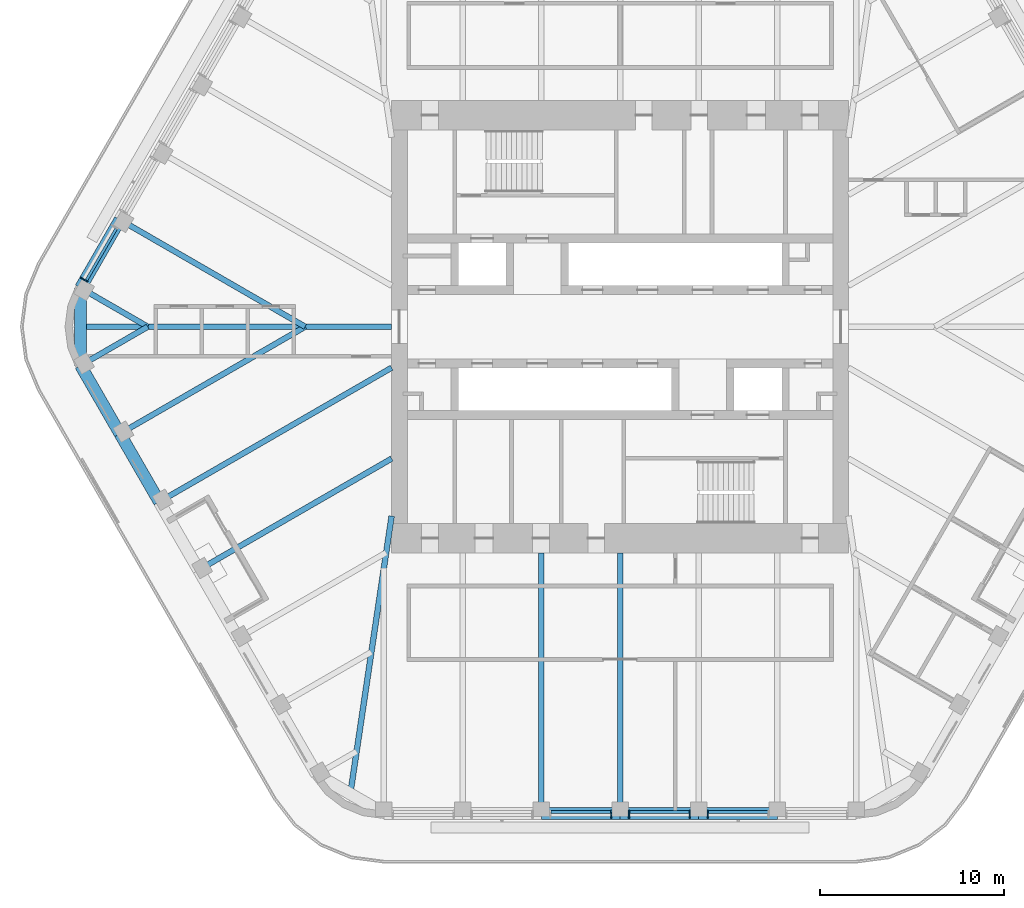
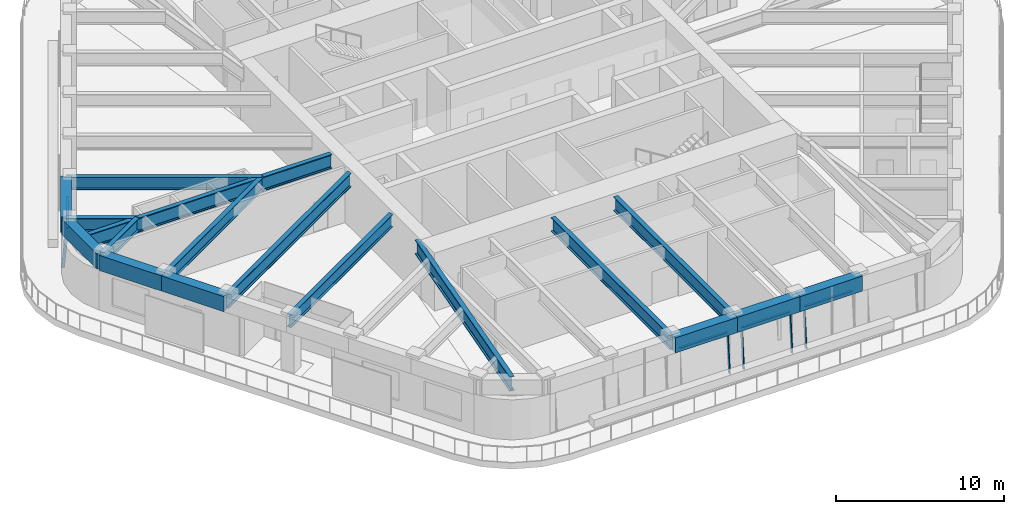
# One storey, part 3 of 19: 17 beams, 9 members, 4 elements without a shape of their own.
"""IFC4 building model written with IfcOpenShell, lengths in metres."""

import ifcopenshell
import ifcopenshell.guid

model = None  # the IFC model being written
_history = None  # IfcOwnerHistory: only IFC2X3 demands one
_inside = {}  # id of a spatial element -> (the spatial element, [elements in it])
_under = {}  # id of a project, library or spatial element -> (it, [spatial elements below it])
_declared = {}  # id of a project -> (the project, [libraries it declares])
_typed = {}  # id of a type object -> (the type object, [elements of that type])
_made_of = {}  # id of a material, layer set ... -> (it, [elements and type objects made of it])


def new_model(schema):
    """Start an empty IFC model of exactly this schema.

    Asked for "IFC4X3", IfcOpenShell would pick the latest addendum, in which some entities
    have other attributes; the version numbers below select the first issue.
    IFC2X3 requires an IfcOwnerHistory on every rooted entity: one is made here for all.
    """
    global model, _history
    if schema == "IFC4X3":
        model = ifcopenshell.file(schema_version=(4, 3, 0, 0))
    else:
        model = ifcopenshell.file(schema=schema)
    _inside.clear()
    _under.clear()
    _declared.clear()
    _typed.clear()
    _made_of.clear()
    _history = None
    if model.schema == "IFC2X3":
        org = make("IfcOrganization", Name="unknown")
        user = make(
            "IfcPersonAndOrganization",
            ThePerson=make("IfcPerson", FamilyName="unknown"),
            TheOrganization=org,
        )
        app = make(
            "IfcApplication",
            ApplicationDeveloper=org,
            Version="unknown",
            ApplicationFullName="unknown",
            ApplicationIdentifier="unknown",
        )
        _history = make(
            "IfcOwnerHistory",
            OwningUser=user,
            OwningApplication=app,
            ChangeAction="ADDED",
            CreationDate=0,
        )
    return model


def make(cls, **values):
    """One entity of the class cls with the attributes given. An attribute that is None is left unset."""
    return model.create_entity(
        cls, **{name: value for name, value in values.items() if value is not None}
    )


def rooted(cls, **values):
    """An entity with a GlobalId (a new one), such as an element, a storey or a relation."""
    return make(cls, GlobalId=ifcopenshell.guid.new(), OwnerHistory=_history, **values)


def si_unit(unit_type, name, prefix=None):
    """IfcSIUnit, for example si_unit("LENGTHUNIT", "METRE", prefix="MILLI")."""
    return make("IfcSIUnit", UnitType=unit_type, Prefix=prefix, Name=name)


def assignment(units):
    """IfcUnitAssignment: the units of a project."""
    return None if units is None else make("IfcUnitAssignment", Units=units)


def point(xyz):
    """IfcCartesianPoint."""
    return None if xyz is None else make("IfcCartesianPoint", Coordinates=xyz)


def direction(xyz):
    """IfcDirection."""
    return None if xyz is None else make("IfcDirection", DirectionRatios=xyz)


def frame(location, z_axis=None, x_axis=None):
    """IfcAxis2Placement3D, a coordinate frame: its origin and axes. An axis left out is left unset."""
    return make(
        "IfcAxis2Placement3D",
        Location=point(location),
        Axis=direction(z_axis),
        RefDirection=direction(x_axis),
    )


def frame_2d(location, x_axis=None):
    """IfcAxis2Placement2D, a coordinate frame in the plane: its origin and x axis."""
    return make(
        "IfcAxis2Placement2D", Location=point(location), RefDirection=direction(x_axis)
    )


def origin():
    """The frame at (0, 0, 0) with its axes left unset."""
    return frame((0.0, 0.0, 0.0))


def origin_2d():
    """The frame at (0, 0) in the plane with its x axis left unset."""
    return frame_2d((0.0, 0.0))


def place(relative_to, where):
    """IfcLocalPlacement: puts the frame where relative to a parent placement (None: the world)."""
    return make(
        "IfcLocalPlacement", PlacementRelTo=relative_to, RelativePlacement=where
    )


def context(
    kind, dimensions, precision=None, world=None, true_north=None, identifier=None
):
    """IfcGeometricRepresentationContext, for example the 3D "Model" context."""
    return make(
        "IfcGeometricRepresentationContext",
        ContextIdentifier=identifier,
        ContextType=kind,
        CoordinateSpaceDimension=dimensions,
        Precision=precision,
        WorldCoordinateSystem=world,
        TrueNorth=true_north,
    )


def subcontext(parent, identifier, kind, view, scale=None):
    """IfcGeometricRepresentationSubContext, for example "Body" below "Model"."""
    return make(
        "IfcGeometricRepresentationSubContext",
        ContextIdentifier=identifier,
        ContextType=kind,
        ParentContext=parent,
        TargetScale=scale,
        TargetView=view,
    )


def project(units=None, contexts=None):
    """IfcProject with its units and contexts."""
    return rooted(
        "IfcProject",
        Name="project",
        RepresentationContexts=contexts,
        UnitsInContext=assignment(units),
    )


def spatial(cls, under=None, at=None, **own):
    """A site, building, storey or space (cls), placed at a placement, below another one or the project."""
    s = rooted(cls, ObjectPlacement=at, **own)
    if under is not None:
        _under.setdefault(under.id(), (under, []))[1].append(s)
    return s


def profile(cls, at=None, kind="AREA", **sizes):
    """A parametric profile (cls). Its sizes go by their IFC names, for example OverallWidth=200.0."""
    return make(cls, ProfileType=kind, Position=at, **sizes)


def rectangle(**sizes):
    """IfcRectangleProfileDef."""
    return profile("IfcRectangleProfileDef", **sizes)


def i_section(**sizes):
    """IfcIShapeProfileDef."""
    return profile("IfcIShapeProfileDef", **sizes)


def extrude(swept, where, along, depth):
    """IfcExtrudedAreaSolid: the profile swept, set in the frame where, extruded along a direction by depth."""
    return make(
        "IfcExtrudedAreaSolid",
        SweptArea=swept,
        Position=where,
        ExtrudedDirection=direction(along),
        Depth=depth,
    )


def shape(context_of_items, identifier, shape_type, items):
    """IfcShapeRepresentation: the items that make up one representation, for example the "Body"."""
    return make(
        "IfcShapeRepresentation",
        ContextOfItems=context_of_items,
        RepresentationIdentifier=identifier,
        RepresentationType=shape_type,
        Items=items,
    )


def material(Name=None, Category=None):
    """IfcMaterial."""
    return make("IfcMaterial", Name=Name, Category=Category)


def material_profile(
    of_material, cross_section, Name=None, Category=None, Priority=None
):
    """IfcMaterialProfile: a cross section and its material."""
    return make(
        "IfcMaterialProfile",
        Name=Name,
        Material=of_material,
        Profile=cross_section,
        Priority=Priority,
        Category=Category,
    )


def profile_set(profiles, Name=None, composite=None):
    """IfcMaterialProfileSet."""
    return make(
        "IfcMaterialProfileSet",
        Name=Name,
        MaterialProfiles=profiles,
        CompositeProfile=composite,
    )


def made_of(thing, what):
    """Note that an element or type object is made of a material, layer set ...; save() writes the relation."""
    if what is not None:
        _made_of.setdefault(what.id(), (what, []))[1].append(thing)
    return thing


def type_object(cls, material=None, **own):
    """A type object (cls), such as IfcWallType, which elements share."""
    return made_of(rooted(cls, **own), material)


def element(
    cls,
    number,
    at=None,
    inside=None,
    cuts=None,
    type_object=None,
    material=None,
    context=None,
    identifier="Body",
    shape_type=None,
    held_by="IfcProductDefinitionShape",
    body=None,
    shapes=None,
    **own,
):
    """One element of the class cls, such as IfcWall. Its Tag is "e" and its number.

    at: its placement. inside: the storey or other place that contains it. cuts: it is an
    opening in that element (IfcRelVoidsElement). A single representation is given by context,
    identifier, shape_type and body (its items); several are given by shapes. held_by: the class
    of the entity that holds the representations. save() writes the other relations.
    """
    e = rooted(cls, Tag="e%d" % number, ObjectPlacement=at, **own)
    if body is not None:
        shapes = [shape(context, identifier, shape_type, body)]
    if shapes is not None:
        e.Representation = make(held_by, Representations=shapes)
    if inside is not None:
        _inside.setdefault(inside.id(), (inside, []))[1].append(e)
    if cuts is not None:
        rooted(
            "IfcRelVoidsElement", RelatingBuildingElement=cuts, RelatedOpeningElement=e
        )
    if type_object is not None:
        _typed.setdefault(type_object.id(), (type_object, []))[1].append(e)
    return made_of(e, material)


def aggregate(whole, parts):
    """IfcRelAggregates: a whole, such as a stair, and the parts it consists of."""
    return rooted("IfcRelAggregates", RelatingObject=whole, RelatedObjects=parts)


def save(model, path):
    """Write the relations noted so far, then the file.

    IfcRelAggregates (storeys below a building ...), IfcRelContainedInSpatialStructure (elements
    in a storey), IfcRelDefinesByType, IfcRelAssociatesMaterial and IfcRelDeclares: one each for
    every whole, place, type object, material and project.
    """
    for whole, parts in _under.values():
        aggregate(whole, parts)
    for where, things in _inside.values():
        rooted(
            "IfcRelContainedInSpatialStructure",
            RelatedElements=things,
            RelatingStructure=where,
        )
    for kind, things in _typed.values():
        rooted("IfcRelDefinesByType", RelatedObjects=things, RelatingType=kind)
    for what, things in _made_of.values():
        rooted("IfcRelAssociatesMaterial", RelatedObjects=things, RelatingMaterial=what)
    for by, libraries in _declared.values():
        rooted("IfcRelDeclares", RelatingContext=by, RelatedDefinitions=libraries)
    model.write(path)


model = new_model("IFC4")

# Units and contexts
model_context = context("Model", 3, precision=1e-05, world=origin(), true_north=direction((0.0, 1.0)))
body_context = subcontext(model_context, "Body", "Model", "MODEL_VIEW")
ifc_project = project(units=[si_unit("LENGTHUNIT", "METRE"), si_unit("AREAUNIT", "SQUARE_METRE"), si_unit("VOLUMEUNIT", "CUBIC_METRE"), si_unit("PLANEANGLEUNIT", "RADIAN"), si_unit("MASSUNIT", "GRAM", prefix="KILO")], contexts=[model_context])

# Site, building, storey
site_placement = place(None, origin())
site = spatial("IfcSite", under=ifc_project, at=site_placement, CompositionType="ELEMENT")
building_placement = place(site_placement, origin())
building = spatial("IfcBuilding", under=site, at=building_placement, Name="Tarfa Lantern Tower", CompositionType="ELEMENT")
storey_placement = place(building_placement, frame((0.0, 0.0, 361.89990234375)))
storey = spatial("IfcBuildingStorey", under=building, at=storey_placement, Name="L82", CompositionType="ELEMENT", Elevation=361.89990234375)

# Curtain wall, member
ifc_material_1 = material(Name="Aluminium framed curtain wall", Category="aluminium")
curtain_wall_type = type_object("IfcCurtainWallType", Name="CW4 CANTED GLAZING EXECUTIVE ZONE 2900", PredefinedType="USERDEFINED", material=ifc_material_1)
curtain_wall_1_placement = place(storey_placement, origin())
curtain_wall_1 = element("IfcCurtainWall", 1, at=curtain_wall_1_placement, inside=storey, type_object=curtain_wall_type, Name="CW4 NW L82", ObjectType="CURTAIN WALL", PredefinedType="USERDEFINED")
ifc_material_2 = material(Name="Aluminium mullion", Category="aluminium")
ifc_material_profile_1 = material_profile(ifc_material_2, rectangle(XDim=0.06494140625, YDim=0.199951171875, at=origin_2d()), Name="AL MULLION 65x200")
ifc_profile_set_1 = profile_set([ifc_material_profile_1], Name="Aluminium mullion")
member_type_1 = type_object("IfcMemberType", Name="CWM1 MULLION 65x200", PredefinedType="MULLION", material=ifc_profile_set_1)
member_1_placement = place(storey_placement, frame((-29.26123046875, 2.617919921875, 0.0), z_axis=(0.074310195522, -0.042942234884, 0.996310172238), x_axis=(0.500342721131, 0.865827443207, 0.0)))
member_1 = element("IfcMember", 2, at=member_1_placement, type_object=member_type_1, Name="CW4 mullion 2", PredefinedType="MULLION", context=body_context, shape_type="SweptSolid", body=[
    extrude(rectangle(XDim=0.06494140625, YDim=0.199951171875, at=origin_2d()), origin(), (0.0, 0.0, 1.0), 2.910888671875),
])

curtain_wall_2_placement = place(storey_placement, origin())
curtain_wall_2 = element("IfcCurtainWall", 3, at=curtain_wall_2_placement, inside=storey, type_object=curtain_wall_type, Name="CW4 S L82", ObjectType="CURTAIN WALL", PredefinedType="USERDEFINED")
member_2_placement = place(storey_placement, frame((-0.482421875, -26.64990234375, 0.0), z_axis=(0.0, 0.085884035992, 0.996305140186), x_axis=(-1.0, 0.0, 0.0)))
member_2 = element("IfcMember", 4, at=member_2_placement, type_object=member_type_1, Name="CW4 mullion 2", PredefinedType="MULLION", context=body_context, shape_type="SweptSolid", body=[
    extrude(rectangle(XDim=0.06494140625, YDim=0.199951171875, at=origin_2d()), origin(), (0.0, 0.0, 1.0), 2.910888671875),
])

# Curtain wall, members
curtain_wall_3_placement = place(storey_placement, origin())
curtain_wall_3 = element("IfcCurtainWall", 5, at=curtain_wall_3_placement, inside=storey, type_object=curtain_wall_type, Name="CW4 S L82", ObjectType="CURTAIN WALL", PredefinedType="USERDEFINED")
member_3_placement = place(storey_placement, frame((0.482421875, -26.64990234375, 0.0), z_axis=(0.0, 0.085884035992, 0.996305140186), x_axis=(-1.0, 0.0, 0.0)))
member_3 = element("IfcMember", 6, at=member_3_placement, type_object=member_type_1, Name="CW4 mullion 1", PredefinedType="MULLION", context=body_context, shape_type="SweptSolid", body=[
    extrude(rectangle(XDim=0.06494140625, YDim=0.199951171875, at=origin_2d()), origin(), (0.0, 0.0, 1.0), 2.910888671875),
])
member_4_placement = place(storey_placement, frame((3.799560546875, -26.64990234375, 0.0), z_axis=(0.0, 0.085884035992, 0.996305140186), x_axis=(-1.0, 0.0, 0.0)))
member_4 = element("IfcMember", 7, at=member_4_placement, type_object=member_type_1, Name="CW4 mullion 2", PredefinedType="MULLION", context=body_context, shape_type="SweptSolid", body=[
    extrude(rectangle(XDim=0.06494140625, YDim=0.199951171875, at=origin_2d()), origin(), (0.0, 0.0, 1.0), 2.910888671875),
])

# Curtain wall, member
curtain_wall_4_placement = place(storey_placement, origin())
curtain_wall_4 = element("IfcCurtainWall", 8, at=curtain_wall_4_placement, inside=storey, type_object=curtain_wall_type, Name="CW4 S L82", ObjectType="CURTAIN WALL", PredefinedType="USERDEFINED")
member_5_placement = place(storey_placement, frame((4.764404296875, -26.64990234375, 0.0), z_axis=(0.0, 0.085884035992, 0.996305140186), x_axis=(-1.0, 0.0, 0.0)))
member_5 = element("IfcMember", 9, at=member_5_placement, type_object=member_type_1, Name="CW4 mullion 1", PredefinedType="MULLION", context=body_context, shape_type="SweptSolid", body=[
    extrude(rectangle(XDim=0.06494140625, YDim=0.199951171875, at=origin_2d()), origin(), (0.0, 0.0, 1.0), 2.910888671875),
])

# Member
ifc_material_3 = material(Name="Aluminium transom", Category="aluminium")
ifc_material_profile_2 = material_profile(ifc_material_3, rectangle(XDim=0.14990234375, YDim=0.06494140625, at=origin_2d()), Name="AL TRANSOM 150x65")
ifc_profile_set_2 = profile_set([ifc_material_profile_2], Name="Aluminium transom")
member_type_2 = type_object("IfcMemberType", Name="CWT1 TRANSOM 150x65", PredefinedType="USERDEFINED", material=ifc_profile_set_2)
member_6_placement = place(storey_placement, frame((-27.405029296875, 5.338623046875, 2.86767578125), z_axis=(-0.500014901547, -0.866016800201, 0.0), x_axis=(0.866016800201, -0.500014901547, 0.0)))
member_6 = element("IfcMember", 10, at=member_6_placement, type_object=member_type_2, Name="CW4 transom 1.2", ObjectType="TRANSOM", PredefinedType="USERDEFINED", context=body_context, shape_type="SweptSolid", body=[
    extrude(rectangle(XDim=0.14990234375, YDim=0.06494140625, at=origin_2d()), origin(), (0.0, 0.0, 1.0), 3.251953125),
])

aggregate(curtain_wall_1, [member_1, member_6])

member_7_placement = place(storey_placement, frame((-3.76708984375, -26.40283203125, 2.86767578125), z_axis=(1.0, 0.0, 0.0), x_axis=(0.0, 1.0, 0.0)))
member_7 = element("IfcMember", 11, at=member_7_placement, type_object=member_type_2, Name="CW4 transom 1.2", ObjectType="TRANSOM", PredefinedType="USERDEFINED", context=body_context, shape_type="SweptSolid", body=[
    extrude(rectangle(XDim=0.14990234375, YDim=0.06494140625, at=origin_2d()), origin(), (0.0, 0.0, 1.0), 3.252197265625),
])

aggregate(curtain_wall_2, [member_2, member_7])

member_8_placement = place(storey_placement, frame((0.514892578125, -26.40283203125, 2.86767578125), z_axis=(1.0, 0.0, 0.0), x_axis=(0.0, 1.0, 0.0)))
member_8 = element("IfcMember", 12, at=member_8_placement, type_object=member_type_2, Name="CW4 transom 1.2", ObjectType="TRANSOM", PredefinedType="USERDEFINED", context=body_context, shape_type="SweptSolid", body=[
    extrude(rectangle(XDim=0.14990234375, YDim=0.06494140625, at=origin_2d()), origin(), (0.0, 0.0, 1.0), 3.252197265625),
])

aggregate(curtain_wall_3, [member_3, member_4, member_8])

member_9_placement = place(storey_placement, frame((4.797119140625, -26.40283203125, 2.86767578125), z_axis=(1.0, 0.0, 0.0), x_axis=(0.0, 1.0, 0.0)))
member_9 = element("IfcMember", 13, at=member_9_placement, type_object=member_type_2, Name="CW4 transom 1.2", ObjectType="TRANSOM", PredefinedType="USERDEFINED", context=body_context, shape_type="SweptSolid", body=[
    extrude(rectangle(XDim=0.14990234375, YDim=0.06494140625, at=origin_2d()), origin(), (0.0, 0.0, 1.0), 3.251953125),
])

aggregate(curtain_wall_4, [member_5, member_9])

# Beams
ifc_material_4 = material(Name="Concrete C80/95", Category="concrete")
ifc_material_profile_3 = material_profile(ifc_material_4, rectangle(XDim=0.64990234375, YDim=1.10009765625, at=origin_2d()), Name="RC 650x1100")
ifc_profile_set_3 = profile_set([ifc_material_profile_3], Name="Concrete C80/95")
beam_type_1 = type_object("IfcBeamType", Name="EB4 RC 650x1100", PredefinedType="SPANDREL", material=ifc_profile_set_3)
beam_1_placement = place(storey_placement, frame((-27.205810546875, 5.818359375, 3.4501953125), z_axis=(-0.499984039138, -0.866034618596, 0.0), x_axis=(0.866034618596, -0.499984039138, 0.0)))
element("IfcBeam", 14, at=beam_1_placement, inside=storey, type_object=beam_type_1, Name="Edge beam NW5", PredefinedType="SPANDREL", context=body_context, shape_type="SweptSolid", body=[
    extrude(rectangle(XDim=0.64990234375, YDim=1.10009765625, at=origin_2d()), origin(), (0.0, 0.0, 1.0), 4.281982421875),
])
beam_2_placement = place(storey_placement, frame((-29.3466796875, 2.110107421875, 3.4501953125), z_axis=(0.0, -1.0, 0.0), x_axis=(1.0, 0.0, 0.0)))
element("IfcBeam", 15, at=beam_2_placement, inside=storey, type_object=beam_type_1, Name="Edge beam NW6", PredefinedType="SPANDREL", context=body_context, shape_type="SweptSolid", body=[
    extrude(rectangle(XDim=0.64990234375, YDim=1.10009765625, at=origin_2d()), origin(), (0.0, 0.0, 1.0), 4.22021484375),
])
for number, where, z_axis, x_axis, name in (
    (16, (-29.3466796875, -2.110107421875, 3.4501953125), (0.499984039138, -0.866034618596, 0.0), (0.866034618596, 0.499984039138, 0.0), "Edge beam SW0"),
    (17, (-27.205810546875, -5.818359375, 3.4501953125), (0.500026801138, -0.866009929587, 0.0), (0.866009929587, 0.500026801138, 0.0), "Edge beam SW1"),
    (18, (-4.281982421875, -26.469970703125, 3.4501953125), (1.0, 0.0, 0.0), (0.0, 1.0, 0.0), "Edge beam S2"),
    (19, (0.0, -26.469970703125, 3.4501953125), (1.0, 0.0, 0.0), (0.0, 1.0, 0.0), "Edge beam S3"),
    (20, (4.281982421875, -26.469970703125, 3.4501953125), (1.0, 0.0, 0.0), (0.0, 1.0, 0.0), "Edge beam S4"),
):
    element("IfcBeam", number, at=place(storey_placement, frame(where, z_axis=z_axis, x_axis=x_axis)), inside=storey, type_object=beam_type_1, Name=name, PredefinedType="SPANDREL", context=body_context, shape_type="SweptSolid", body=[
        extrude(rectangle(XDim=0.64990234375, YDim=1.10009765625, at=origin_2d()), origin(), (0.0, 0.0, 1.0), 4.281982421875),
    ])
ifc_material_5 = material(Name="Steel S460M", Category="steel")
ifc_material_profile_4 = material_profile(ifc_material_5, i_section(OverallWidth=0.302001953125, OverallDepth=1.008056640625, WebThickness=0.02099609375, FlangeThickness=0.0400390625, FilletRadius=0.030029296875, at=origin_2d()), Name="UB1016x305x349")
ifc_profile_set_4 = profile_set([ifc_material_profile_4], Name="Steel S460M")
beam_type_2 = type_object("IfcBeamType", Name="UB1016x305x349", PredefinedType="BEAM", material=ifc_profile_set_4)
beam_3_placement = place(storey_placement, frame((-25.064697265625, -9.526611328125, 3.49609375), z_axis=(0.866029591389, 0.499992746786, 0.0), x_axis=(-0.499992746786, 0.866029591389, 0.0)))
element("IfcBeam", 21, at=beam_3_placement, inside=storey, type_object=beam_type_2, Name="Floor beam SW2", PredefinedType="BEAM", context=body_context, shape_type="SweptSolid", body=[
    extrude(i_section(OverallWidth=0.302001953125, OverallDepth=1.008056640625, WebThickness=0.02099609375, FlangeThickness=0.0400390625, FilletRadius=0.030029296875, at=origin_2d()), origin(), (0.0, 0.0, 1.0), 14.594970703125),
])
for number, where, z_axis, x_axis, name in (
    (22, (-4.281982421875, -26.469970703125, 3.49609375), (0.0, 1.0, 0.0), (-1.0, 0.0, 0.0), "Floor beam S2"),
    (23, (0.0, -26.469970703125, 3.49609375), (0.0, 1.0, 0.0), (-1.0, 0.0, 0.0), "Floor beam S3"),
):
    element("IfcBeam", number, at=place(storey_placement, frame(where, z_axis=z_axis, x_axis=x_axis)), inside=storey, type_object=beam_type_2, Name=name, PredefinedType="BEAM", context=body_context, shape_type="SweptSolid", body=[
        extrude(i_section(OverallWidth=0.302001953125, OverallDepth=1.008056640625, WebThickness=0.02099609375, FlangeThickness=0.0400390625, FilletRadius=0.030029296875, at=origin_2d()), origin(), (0.0, 0.0, 1.0), 14.169921875),
    ])
ifc_material_profile_5 = material_profile(ifc_material_5, i_section(OverallWidth=0.30859375, OverallDepth=1.036376953125, WebThickness=0.030029296875, FlangeThickness=0.05419921875, FilletRadius=0.030029296875, at=origin_2d()), Name="UB1016x305x487")
ifc_profile_set_5 = profile_set([ifc_material_profile_5], Name="Steel S460M")
beam_type_3 = type_object("IfcBeamType", Name="UB1016x305x487", PredefinedType="BEAM", material=ifc_profile_set_5)
beam_4_placement = place(storey_placement, frame((-12.425048828125, 0.0, 3.48193359375), z_axis=(-1.0, 0.0, 0.0), x_axis=(0.0, -1.0, 0.0)))
element("IfcBeam", 24, at=beam_4_placement, inside=storey, type_object=beam_type_3, Name="Hip girder W", PredefinedType="BEAM", context=body_context, shape_type="SweptSolid", body=[
    extrude(i_section(OverallWidth=0.30859375, OverallDepth=1.036376953125, WebThickness=0.030029296875, FlangeThickness=0.05419921875, FilletRadius=0.030029296875, at=origin_2d()), origin(), (0.0, 0.0, 1.0), 16.921630859375),
])
beam_5_placement = place(storey_placement, frame((-12.425048828125, -10.300048828125, 3.48193359375), z_axis=(-0.147127069073, -0.989117599452, 0.0), x_axis=(0.989117599452, -0.147127069073, 0.0)))
element("IfcBeam", 25, at=beam_5_placement, inside=storey, type_object=beam_type_3, Name="Hip girder SW", PredefinedType="BEAM", context=body_context, shape_type="SweptSolid", body=[
    extrude(i_section(OverallWidth=0.30859375, OverallDepth=1.036376953125, WebThickness=0.030029296875, FlangeThickness=0.05419921875, FilletRadius=0.030029296875, at=origin_2d()), origin(), (0.0, 0.0, 1.0), 15.28125),
])
ifc_material_profile_6 = material_profile(ifc_material_5, i_section(OverallWidth=0.305419921875, OverallDepth=0.91845703125, WebThickness=0.017333984375, FlangeThickness=0.02783203125, FilletRadius=0.01904296875, at=origin_2d()), Name="UB914x305x253")
ifc_profile_set_6 = profile_set([ifc_material_profile_6], Name="Steel S460M")
beam_type_4 = type_object("IfcBeamType", Name="UB914x305x253", PredefinedType="BEAM", material=ifc_profile_set_6)
beam_6_placement = place(storey_placement, frame((-27.205810546875, 5.818359375, 3.541015625), z_axis=(0.866024171998, -0.500002133511, 0.0), x_axis=(0.500002133511, 0.866024171998, 0.0)))
element("IfcBeam", 26, at=beam_6_placement, inside=storey, type_object=beam_type_4, Name="Floor beam NW5", PredefinedType="BEAM", context=body_context, shape_type="SweptSolid", body=[
    extrude(i_section(OverallWidth=0.305419921875, OverallDepth=0.91845703125, WebThickness=0.017333984375, FlangeThickness=0.02783203125, FilletRadius=0.01904296875, at=origin_2d()), origin(), (0.0, 0.0, 1.0), 11.63671875),
])
for number, where, z_axis, x_axis, name in (
    (27, (-29.3466796875, 2.110107421875, 3.541015625), (0.866009274789, -0.500027935199, 0.0), (0.500027935199, 0.866009274789, 0.0), "Floor beam NW6"),
    (28, (-29.3466796875, -2.110107421875, 3.541015625), (0.866009274789, 0.500027935199, 0.0), (-0.500027935199, 0.866009274789, 0.0), "Floor beam SW0"),
):
    element("IfcBeam", number, at=place(storey_placement, frame(where, z_axis=z_axis, x_axis=x_axis)), inside=storey, type_object=beam_type_4, Name=name, PredefinedType="BEAM", context=body_context, shape_type="SweptSolid", body=[
        extrude(i_section(OverallWidth=0.305419921875, OverallDepth=0.91845703125, WebThickness=0.017333984375, FlangeThickness=0.02783203125, FilletRadius=0.01904296875, at=origin_2d()), origin(), (0.0, 0.0, 1.0), 4.219970703125),
    ])
beam_7_placement = place(storey_placement, frame((-27.205810546875, -5.818359375, 3.541015625), z_axis=(0.866024171998, 0.500002133511, 0.0), x_axis=(-0.500002133511, 0.866024171998, 0.0)))
element("IfcBeam", 29, at=beam_7_placement, inside=storey, type_object=beam_type_4, Name="Floor beam SW1", PredefinedType="BEAM", context=body_context, shape_type="SweptSolid", body=[
    extrude(i_section(OverallWidth=0.305419921875, OverallDepth=0.91845703125, WebThickness=0.017333984375, FlangeThickness=0.02783203125, FilletRadius=0.01904296875, at=origin_2d()), origin(), (0.0, 0.0, 1.0), 11.63671875),
])
beam_8_placement = place(storey_placement, frame((-22.923583984375, -13.235107421875, 3.541015625), z_axis=(0.86601856927, 0.500011837539, 0.0), x_axis=(-0.500011837539, 0.86601856927, 0.0)))
element("IfcBeam", 30, at=beam_8_placement, inside=storey, type_object=beam_type_4, Name="Floor beam SW3", PredefinedType="BEAM", context=body_context, shape_type="SweptSolid", body=[
    extrude(i_section(OverallWidth=0.305419921875, OverallDepth=0.91845703125, WebThickness=0.017333984375, FlangeThickness=0.02783203125, FilletRadius=0.01904296875, at=origin_2d()), origin(), (0.0, 0.0, 1.0), 12.122802734375),
])

save(model, "model.ifc")
